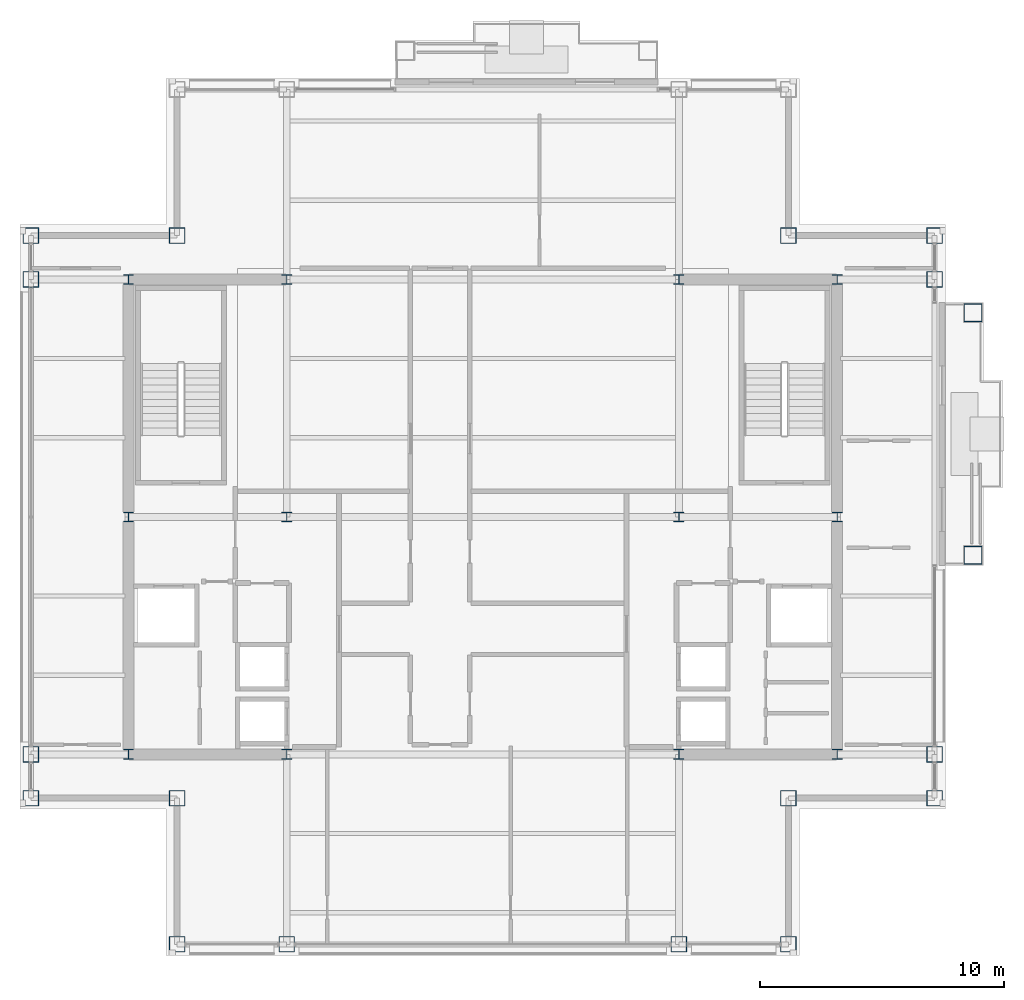
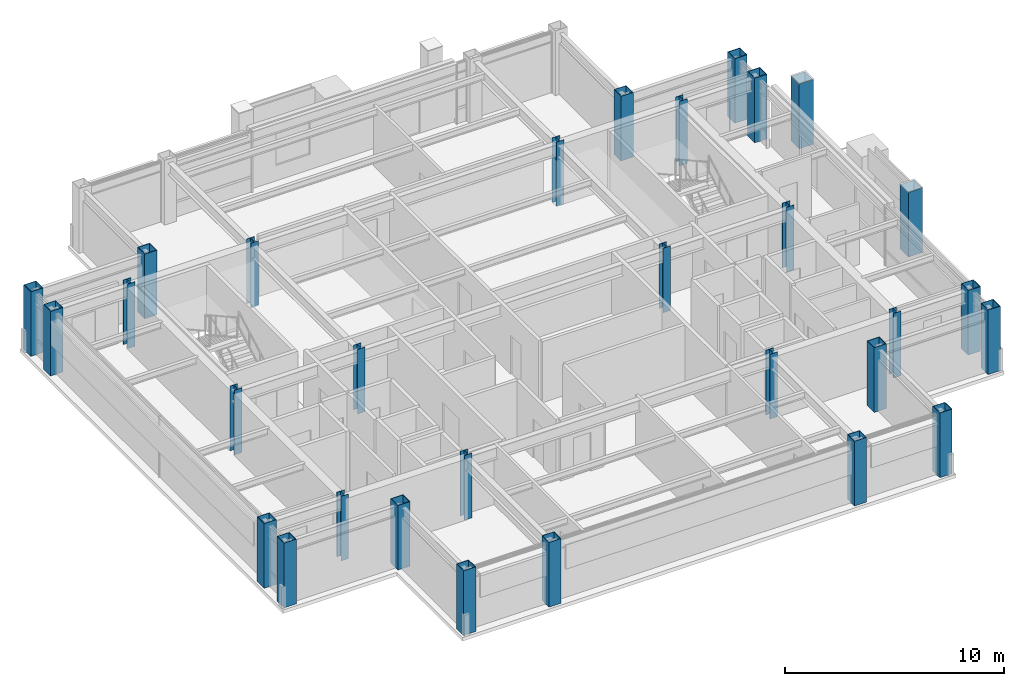
# One storey, part 1 of 24: 30 columns.
"""IFC4 building model written with IfcOpenShell, lengths in metres."""

from ifc_helpers import new_model, si_unit, direction, frame, origin, origin_2d, place, context, subcontext, project, spatial, hollow_rectangle, i_section, extrude, material, material_profile, profile_set, type_object, element, save


model = new_model("IFC4")

# Units and contexts
model_context = context("Model", 3, precision=1e-05, world=origin(), true_north=direction((0.0, 1.0)))
body_context = subcontext(model_context, "Body", "Model", "MODEL_VIEW")
ifc_project = project(units=[si_unit("LENGTHUNIT", "METRE"), si_unit("AREAUNIT", "SQUARE_METRE"), si_unit("VOLUMEUNIT", "CUBIC_METRE"), si_unit("PLANEANGLEUNIT", "RADIAN"), si_unit("MASSUNIT", "GRAM", prefix="KILO")], contexts=[model_context])

# Site, building, storey
site_placement = place(None, origin())
site = spatial("IfcSite", under=ifc_project, at=site_placement, CompositionType="ELEMENT")
building_placement = place(site_placement, origin())
building = spatial("IfcBuilding", under=site, at=building_placement, Name="Brelmoor Portico Tower", CompositionType="ELEMENT")
storey_placement = place(building_placement, frame((0.0, 0.0, 229.199951171875)))
storey = spatial("IfcBuildingStorey", under=building, at=storey_placement, Name="L60", CompositionType="ELEMENT", Elevation=229.199951171875)

# Columns
ifc_material = material(Name="Steel Q355B", Category="steel")
ifc_material_profile_1 = material_profile(ifc_material, hollow_rectangle(XDim=0.64990234375, YDim=0.64990234375, WallThickness=0.028076171875, at=origin_2d()), Name="BOX 650x650x28")
ifc_profile_set_1 = profile_set([ifc_material_profile_1], Name="Steel Q355B")
column_type_1 = type_object("IfcColumnType", Name="COL-MEGA-650", PredefinedType="COLUMN", material=ifc_profile_set_1)
for number, where, z_axis, x_axis, name in (
    (1, (-12.550048828125, -17.550048828125, 0.0), (0.0, 0.0, 1.0), (1.0, 0.0, 0.0), "L60 Perimeter Mega-Column PS01"),
    (2, (-8.050048828125, -17.550048828125, 0.0), (0.0, 0.0, 1.0), (1.0, 0.0, 0.0), "L60 Perimeter Mega-Column PS02"),
    (3, (8.050048828125, -17.550048828125, 0.0), (0.0, 0.0, 1.0), (1.0, 0.0, 0.0), "L60 Perimeter Mega-Column PS03"),
    (4, (12.550048828125, -17.550048828125, 0.0), (0.0, 0.0, 1.0), (1.0, 0.0, 0.0), "L60 Perimeter Mega-Column PS04"),
    (5, (-18.550048828125, -11.550048828125, 0.0), (0.0, 0.0, 1.0), (0.0, 1.0, 0.0), "L60 Perimeter Mega-Column PW01"),
    (6, (-18.550048828125, -9.75, 0.0), (0.0, 0.0, 1.0), (0.0, 1.0, 0.0), "L60 Perimeter Mega-Column PW02"),
    (7, (-18.550048828125, 9.75, 0.0), (0.0, 0.0, 1.0), (0.0, 1.0, 0.0), "L60 Perimeter Mega-Column PW03"),
    (8, (-18.550048828125, 11.550048828125, 0.0), (0.0, 0.0, 1.0), (0.0, 1.0, 0.0), "L60 Perimeter Mega-Column PW04"),
    (9, (18.550048828125, -11.550048828125, 0.0), (0.0, 0.0, 1.0), (0.0, 1.0, 0.0), "L60 Perimeter Mega-Column PE01"),
    (10, (18.550048828125, -9.75, 0.0), (0.0, 0.0, 1.0), (0.0, 1.0, 0.0), "L60 Perimeter Mega-Column PE02"),
    (11, (18.550048828125, 9.75, 0.0), (0.0, 0.0, 1.0), (0.0, 1.0, 0.0), "L60 Perimeter Mega-Column PE03"),
    (12, (18.550048828125, 11.550048828125, 0.0), (0.0, 0.0, 1.0), (0.0, 1.0, 0.0), "L60 Perimeter Mega-Column PE04"),
    (13, (-12.550048828125, 11.550048828125, 0.0), (0.0, 0.0, 1.0), (1.0, 0.0, 0.0), "L60 Perimeter Mega-Column PC-NW"),
    (14, (12.550048828125, 11.550048828125, 0.0), (0.0, 0.0, 1.0), (1.0, 0.0, 0.0), "L60 Perimeter Mega-Column PC-NE"),
    (15, (12.550048828125, -11.550048828125, 0.0), (0.0, 0.0, 1.0), (1.0, 0.0, 0.0), "L60 Perimeter Mega-Column PC-SE"),
    (16, (-12.550048828125, -11.550048828125, 0.0), (0.0, 0.0, 1.0), (1.0, 0.0, 0.0), "L60 Perimeter Mega-Column PC-SW"),
):
    element("IfcColumn", number, at=place(storey_placement, frame(where, z_axis=z_axis, x_axis=x_axis)), inside=storey, type_object=column_type_1, Name=name, PredefinedType="COLUMN", context=body_context, shape_type="SweptSolid", body=[
        extrude(hollow_rectangle(XDim=0.64990234375, YDim=0.64990234375, WallThickness=0.028076171875, at=origin_2d()), origin(), (0.0, 0.0, 1.0), 3.60009765625),
    ])
ifc_material_profile_2 = material_profile(ifc_material, hollow_rectangle(XDim=0.75, YDim=0.75, WallThickness=0.031982421875, at=origin_2d()), Name="BOX 750x750x32")
ifc_profile_set_2 = profile_set([ifc_material_profile_2], Name="Steel Q355B")
column_type_2 = type_object("IfcColumnType", Name="COL-MEGA-750", PredefinedType="COLUMN", material=ifc_profile_set_2)
for number, where, z_axis, x_axis, name in (
    (17, (20.1298828125, -1.580078125, 0.0), (0.0, 0.0, 1.0), (0.0, 1.0, 0.0), "L60 Proud Picture-Frame Pier PFJ-E1"),
    (18, (20.1298828125, 8.3798828125, 0.0), (0.0, 0.0, 1.0), (0.0, 1.0, 0.0), "L60 Proud Picture-Frame Pier PFJ-E2"),
):
    element("IfcColumn", number, at=place(storey_placement, frame(where, z_axis=z_axis, x_axis=x_axis)), inside=storey, type_object=column_type_2, Name=name, PredefinedType="COLUMN", context=body_context, shape_type="SweptSolid", body=[
        extrude(hollow_rectangle(XDim=0.75, YDim=0.75, WallThickness=0.031982421875, at=origin_2d()), origin(), (0.0, 0.0, 1.0), 3.60009765625),
    ])
ifc_material_profile_3 = material_profile(ifc_material, i_section(OverallWidth=0.39990234375, OverallDepth=0.39990234375, WebThickness=0.012939453125, FlangeThickness=0.02099609375, at=origin_2d()), Name="HW 400x400x13x21")
ifc_profile_set_3 = profile_set([ifc_material_profile_3], Name="Steel Q355B")
column_type_3 = type_object("IfcColumnType", Name="COL-SPINE-400", PredefinedType="COLUMN", material=ifc_profile_set_3)
for number, where, z_axis, x_axis, name in (
    (19, (-14.550048828125, -9.75, 0.0), (0.0, 0.0, 1.0), (1.0, 0.0, 0.0), "L60 Core Spine Column CW-SW"),
    (20, (-14.550048828125, 0.0, 0.0), (0.0, 0.0, 1.0), (1.0, 0.0, 0.0), "L60 Core Spine Column CW-MW"),
    (21, (-14.550048828125, 9.75, 0.0), (0.0, 0.0, 1.0), (1.0, 0.0, 0.0), "L60 Core Spine Column CW-NW"),
    (22, (-8.050048828125, -9.75, 0.0), (0.0, 0.0, 1.0), (1.0, 0.0, 0.0), "L60 Core Spine Column CW-SE"),
    (23, (-8.050048828125, 0.0, 0.0), (0.0, 0.0, 1.0), (1.0, 0.0, 0.0), "L60 Core Spine Column CW-ME"),
    (24, (-8.050048828125, 9.75, 0.0), (0.0, 0.0, 1.0), (1.0, 0.0, 0.0), "L60 Core Spine Column CW-NE"),
    (25, (8.050048828125, -9.75, 0.0), (0.0, 0.0, 1.0), (1.0, 0.0, 0.0), "L60 Core Spine Column CE-SW"),
    (26, (8.050048828125, 0.0, 0.0), (0.0, 0.0, 1.0), (1.0, 0.0, 0.0), "L60 Core Spine Column CE-MW"),
    (27, (8.050048828125, 9.75, 0.0), (0.0, 0.0, 1.0), (1.0, 0.0, 0.0), "L60 Core Spine Column CE-NW"),
    (28, (14.550048828125, -9.75, 0.0), (0.0, 0.0, 1.0), (1.0, 0.0, 0.0), "L60 Core Spine Column CE-SE"),
    (29, (14.550048828125, 0.0, 0.0), (0.0, 0.0, 1.0), (1.0, 0.0, 0.0), "L60 Core Spine Column CE-ME"),
    (30, (14.550048828125, 9.75, 0.0), (0.0, 0.0, 1.0), (1.0, 0.0, 0.0), "L60 Core Spine Column CE-NE"),
):
    element("IfcColumn", number, at=place(storey_placement, frame(where, z_axis=z_axis, x_axis=x_axis)), inside=storey, type_object=column_type_3, Name=name, PredefinedType="COLUMN", context=body_context, shape_type="SweptSolid", body=[
        extrude(i_section(OverallWidth=0.39990234375, OverallDepth=0.39990234375, WebThickness=0.012939453125, FlangeThickness=0.02099609375, at=origin_2d()), origin(), (0.0, 0.0, 1.0), 3.60009765625),
    ])

save(model, "model.ifc")
